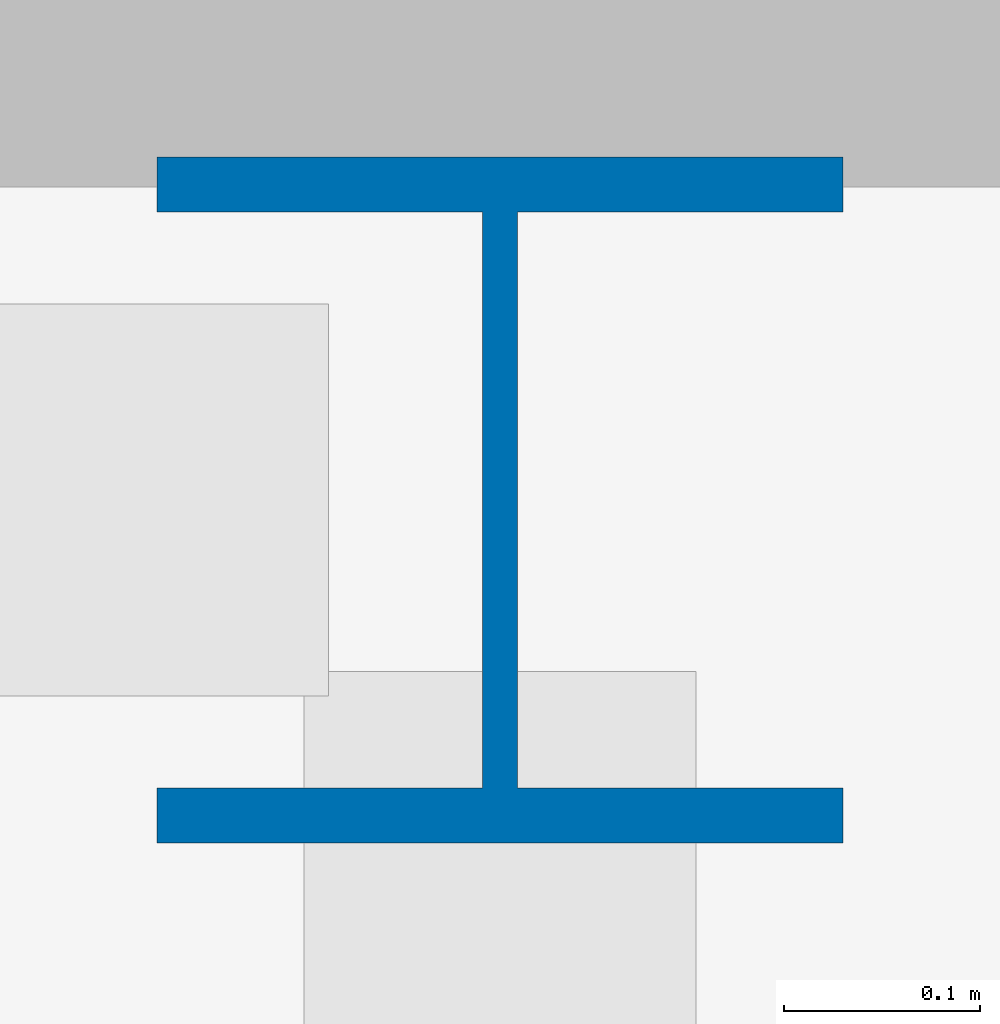
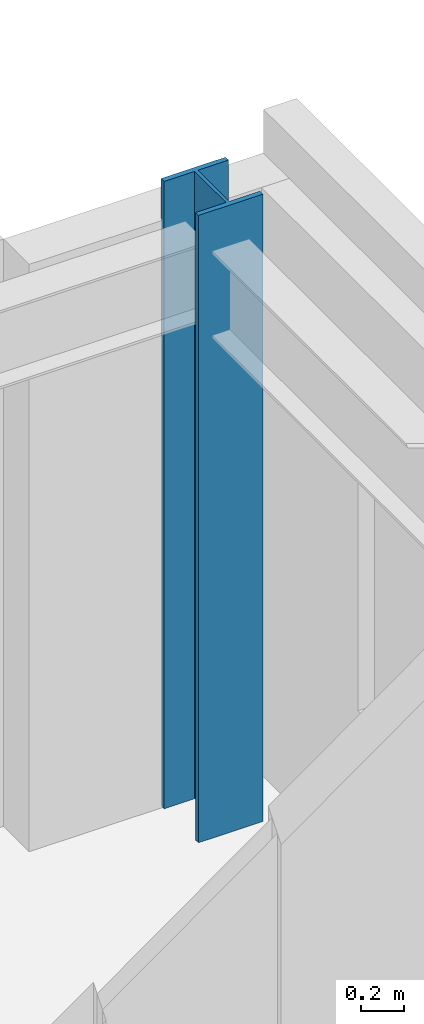
# One storey, part 4 of 22: 1 column.
"""IFC4 building model written with IfcOpenShell, lengths in metres."""

from ifc_helpers import new_model, si_unit, direction, frame, origin, origin_2d, place, context, subcontext, project, spatial, i_section, extrude, source, transform, mapped, material, material_profile, profile_set, type_object, element, save


model = new_model("IFC4")

# Units and contexts
model_context = context("Model", 3, precision=1e-05, world=origin(), true_north=direction((0.0, 1.0)))
body_context = subcontext(model_context, "Body", "Model", "MODEL_VIEW")
ifc_project = project(units=[si_unit("LENGTHUNIT", "METRE"), si_unit("AREAUNIT", "SQUARE_METRE"), si_unit("VOLUMEUNIT", "CUBIC_METRE"), si_unit("PLANEANGLEUNIT", "RADIAN"), si_unit("MASSUNIT", "GRAM", prefix="KILO")], contexts=[model_context])

# Site, building, storey
site_placement = place(None, origin())
site = spatial("IfcSite", under=ifc_project, at=site_placement, CompositionType="ELEMENT")
building_placement = place(site_placement, origin())
building = spatial("IfcBuilding", under=site, at=building_placement, Name="Trelvane Seafront Commons", CompositionType="ELEMENT")
storey_placement = place(building_placement, frame((0.0, 0.0, 270.300048828125)))
storey = spatial("IfcBuildingStorey", under=building, at=storey_placement, Name="L70", CompositionType="ELEMENT", Elevation=270.300048828125)

# Column
ifc_material = material(Name="Steel SM355 (S355)", Category="steel")
ifc_material_profile = material_profile(ifc_material, i_section(OverallWidth=0.35009765625, OverallDepth=0.35009765625, WebThickness=0.01806640625, FlangeThickness=0.028076171875, at=origin_2d()), Name="HD-350x350x18x28")
ifc_profile_set = profile_set([ifc_material_profile], Name="Steel SM355 (S355)")
column_type = type_object("IfcColumnType", Name="STR-COL-HD350", PredefinedType="COLUMN", material=ifc_profile_set)
shared_shape = source(origin(), body_context, "Body", "SweptSolid", [
    extrude(i_section(OverallWidth=0.35009765625, OverallDepth=0.35009765625, WebThickness=0.01806640625, FlangeThickness=0.028076171875, at=origin_2d()), origin(), (0.0, 0.0, 1.0), 3.599853515625),
])
column_placement = place(storey_placement, frame((65.60009765625, 45.10009765625, 0.0), z_axis=(0.0, 0.0, 1.0), x_axis=(1.0, 0.0, 0.0)))
element("IfcColumn", 1, at=column_placement, inside=storey, type_object=column_type, Name="L70 Column TC-CN65.6", PredefinedType="COLUMN", context=body_context, shape_type="MappedRepresentation", body=[
    mapped(shared_shape, transform((0.0, 0.0, 0.0), x_axis=(1.0, 0.0, 0.0), y_axis=(0.0, 1.0, 0.0), z_axis=(0.0, 0.0, 1.0), scale=1.0)),
])

save(model, "model.ifc")
